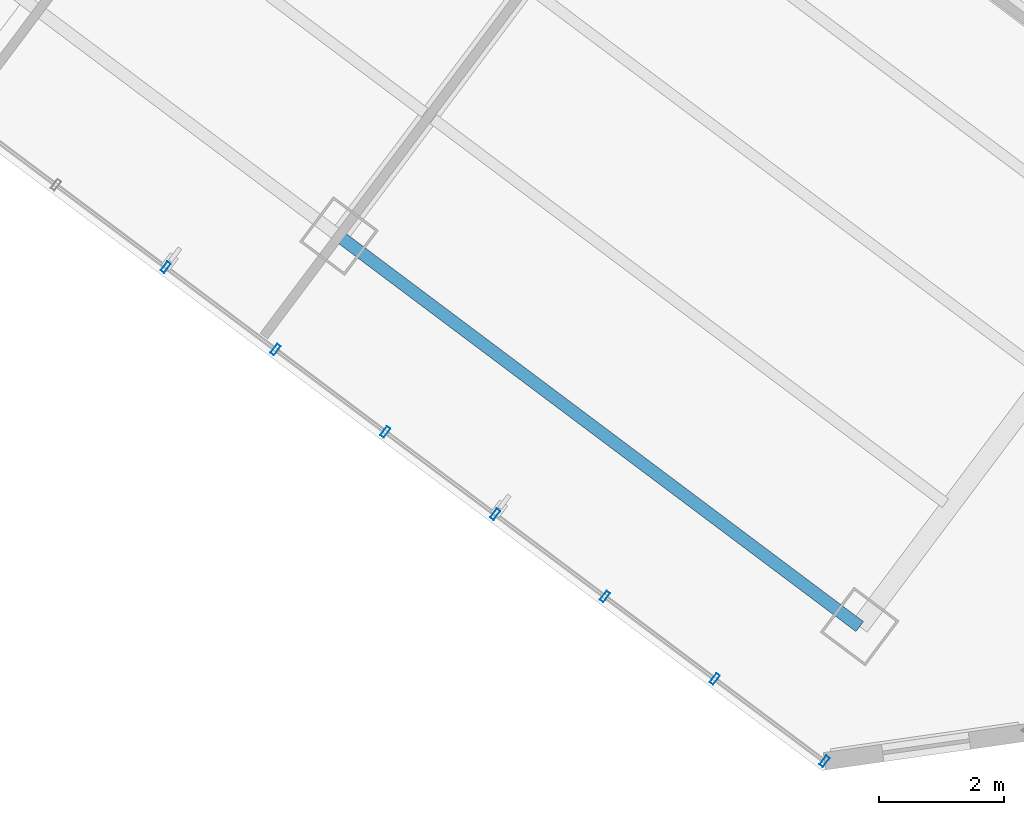
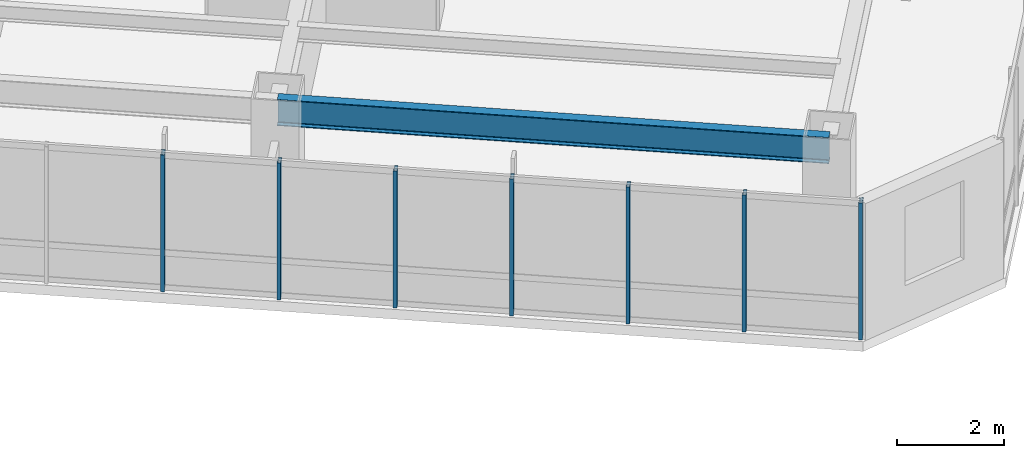
# One storey, part 11 of 36: 7 members, 1 beam, 1 element without a shape of its own.
"""IFC4 building model written with IfcOpenShell, lengths in metres."""

from ifc_helpers import new_model, si_unit, direction, frame, origin, origin_2d, place, context, subcontext, project, spatial, hollow_rectangle, i_section, extrude, material, layer, layer_set, material_profile, profile_set, type_object, element, aggregate, save


model = new_model("IFC4")

# Units and contexts
model_context = context("Model", 3, precision=1e-05, world=origin(), true_north=direction((0.0, 1.0)))
body_context = subcontext(model_context, "Body", "Model", "MODEL_VIEW")
ifc_project = project(units=[si_unit("LENGTHUNIT", "METRE"), si_unit("AREAUNIT", "SQUARE_METRE"), si_unit("VOLUMEUNIT", "CUBIC_METRE"), si_unit("PLANEANGLEUNIT", "RADIAN"), si_unit("MASSUNIT", "GRAM", prefix="KILO")], contexts=[model_context])

# Site, building, storey
site_placement = place(None, origin())
site = spatial("IfcSite", under=ifc_project, at=site_placement, CompositionType="ELEMENT")
building_placement = place(site_placement, origin())
building = spatial("IfcBuilding", under=site, at=building_placement, Name="Hatsunagi Terrace Concourse", CompositionType="ELEMENT")
storey_placement = place(building_placement, frame((0.0, 0.0, 84.64990234375)))
storey = spatial("IfcBuildingStorey", under=building, at=storey_placement, Name="L22", CompositionType="ELEMENT", Elevation=84.64990234375)

# Curtain wall, members
ifc_material_1 = material(Name="Anodised Aluminium Alloy 6063-T5", Category="aluminium")
ifc_layer = layer(ifc_material_1, 0.199951171875)
ifc_layer_set = layer_set([ifc_layer], Name="HotelFacade_CW02")
curtain_wall_type = type_object("IfcCurtainWallType", Name="HotelFacade_CW02", PredefinedType="NOTDEFINED", material=ifc_layer_set)
curtain_wall_placement = place(storey_placement, origin())
curtain_wall = element("IfcCurtainWall", 1, at=curtain_wall_placement, inside=storey, type_object=curtain_wall_type, Name="Unitised Curtain Wall CW-02 CW-L22-05", PredefinedType="NOTDEFINED")
ifc_material_2 = material(Name="Anodised Aluminium Alloy 6063-T5", Category="aluminium")
ifc_material_profile_1 = material_profile(ifc_material_2, hollow_rectangle(XDim=0.070068359375, YDim=0.179931640625, WallThickness=0.00390625, at=origin_2d()), Name="ALU-MUL-180x70x4")
ifc_profile_set_1 = profile_set([ifc_material_profile_1], Name="Anodised Aluminium Alloy 6063-T5")
member_type = type_object("IfcMemberType", Name="CurtainWallMullion_180x70", PredefinedType="MULLION", material=ifc_profile_set_1)
member_1_placement = place(storey_placement, frame((53.318115234375, 2.487060546875, 0.0), z_axis=(0.0, 0.0, 1.0), x_axis=(-0.800003116929, 0.599995844072, 0.0)))
member_1 = element("IfcMember", 2, at=member_1_placement, type_object=member_type, Name="Curtain Wall Mullion MUL-02", PredefinedType="MULLION", context=body_context, shape_type="SweptSolid", body=[
    extrude(hollow_rectangle(XDim=0.070068359375, YDim=0.179931640625, WallThickness=0.00390625, at=origin_2d()), origin(), (0.0, 0.0, 1.0), 3.130126953125),
])
member_2_placement = place(storey_placement, frame((51.56396484375, 3.802978515625, 0.0), z_axis=(0.0, 0.0, 1.0), x_axis=(-0.800003116929, 0.599995844072, 0.0)))
member_2 = element("IfcMember", 3, at=member_2_placement, type_object=member_type, Name="Curtain Wall Mullion MUL-02", PredefinedType="MULLION", context=body_context, shape_type="SweptSolid", body=[
    extrude(hollow_rectangle(XDim=0.070068359375, YDim=0.179931640625, WallThickness=0.00390625, at=origin_2d()), origin(), (0.0, 0.0, 1.0), 3.130126953125),
])
member_3_placement = place(storey_placement, frame((49.80908203125, 5.118896484375, 0.0), z_axis=(0.0, 0.0, 1.0), x_axis=(-0.800003116929, 0.599995844072, 0.0)))
member_3 = element("IfcMember", 4, at=member_3_placement, type_object=member_type, Name="Curtain Wall Mullion MUL-02", PredefinedType="MULLION", context=body_context, shape_type="SweptSolid", body=[
    extrude(hollow_rectangle(XDim=0.070068359375, YDim=0.179931640625, WallThickness=0.00390625, at=origin_2d()), origin(), (0.0, 0.0, 1.0), 3.130126953125),
])
member_4_placement = place(storey_placement, frame((48.054931640625, 6.43408203125, 0.0), z_axis=(0.0, 0.0, 1.0), x_axis=(-0.800003116929, 0.599995844072, 0.0)))
member_4 = element("IfcMember", 5, at=member_4_placement, type_object=member_type, Name="Curtain Wall Mullion MUL-02", PredefinedType="MULLION", context=body_context, shape_type="SweptSolid", body=[
    extrude(hollow_rectangle(XDim=0.070068359375, YDim=0.179931640625, WallThickness=0.00390625, at=origin_2d()), origin(), (0.0, 0.0, 1.0), 3.130126953125),
])
member_5_placement = place(storey_placement, frame((46.300048828125, 7.75, 0.0), z_axis=(0.0, 0.0, 1.0), x_axis=(-0.800003116929, 0.599995844072, 0.0)))
member_5 = element("IfcMember", 6, at=member_5_placement, type_object=member_type, Name="Curtain Wall Mullion MUL-02", PredefinedType="MULLION", context=body_context, shape_type="SweptSolid", body=[
    extrude(hollow_rectangle(XDim=0.070068359375, YDim=0.179931640625, WallThickness=0.00390625, at=origin_2d()), origin(), (0.0, 0.0, 1.0), 3.130126953125),
])
member_6_placement = place(storey_placement, frame((44.5458984375, 9.06591796875, 0.0), z_axis=(0.0, 0.0, 1.0), x_axis=(-0.800003116929, 0.599995844072, 0.0)))
member_6 = element("IfcMember", 7, at=member_6_placement, type_object=member_type, Name="Curtain Wall Mullion MUL-02", PredefinedType="MULLION", context=body_context, shape_type="SweptSolid", body=[
    extrude(hollow_rectangle(XDim=0.070068359375, YDim=0.179931640625, WallThickness=0.00390625, at=origin_2d()), origin(), (0.0, 0.0, 1.0), 3.130126953125),
])
member_7_placement = place(storey_placement, frame((42.791015625, 10.382080078125, 0.0), z_axis=(0.0, 0.0, 1.0), x_axis=(-0.800003116929, 0.599995844072, 0.0)))
member_7 = element("IfcMember", 8, at=member_7_placement, type_object=member_type, Name="Curtain Wall Mullion MUL-02", PredefinedType="MULLION", context=body_context, shape_type="SweptSolid", body=[
    extrude(hollow_rectangle(XDim=0.070068359375, YDim=0.179931640625, WallThickness=0.00390625, at=origin_2d()), origin(), (0.0, 0.0, 1.0), 3.130126953125),
])
aggregate(curtain_wall, [member_1, member_2, member_3, member_4, member_5, member_6, member_7])

# Beam
ifc_material_3 = material(Name="Steel SN490B", Category="steel")
ifc_material_profile_2 = material_profile(ifc_material_3, i_section(OverallWidth=0.199951171875, OverallDepth=0.60009765625, WebThickness=0.010986328125, FlangeThickness=0.01708984375, FilletRadius=0.01806640625, at=origin_2d()), Name="H-600x200x11x17")
ifc_profile_set_2 = profile_set([ifc_material_profile_2], Name="Steel SN490B")
beam_type = type_object("IfcBeamType", Name="PerimeterSpandrel_H_600x200", PredefinedType="SPANDREL", material=ifc_profile_set_2)
beam_placement = place(storey_placement, frame((45.56005859375, 10.8798828125, 2.830078125), z_axis=(0.799994365871, -0.600007512099, 0.0), x_axis=(0.600007512099, 0.799994365871, 0.0)))
element("IfcBeam", 9, at=beam_placement, inside=storey, type_object=beam_type, Name="Beam SP-01 BM-L22-SE-SW3", PredefinedType="SPANDREL", context=body_context, shape_type="SweptSolid", body=[
    extrude(i_section(OverallWidth=0.199951171875, OverallDepth=0.60009765625, WebThickness=0.010986328125, FlangeThickness=0.01708984375, FilletRadius=0.01806640625, at=origin_2d()), origin(), (0.0, 0.0, 1.0), 10.39990234375),
])

save(model, "model.ifc")
